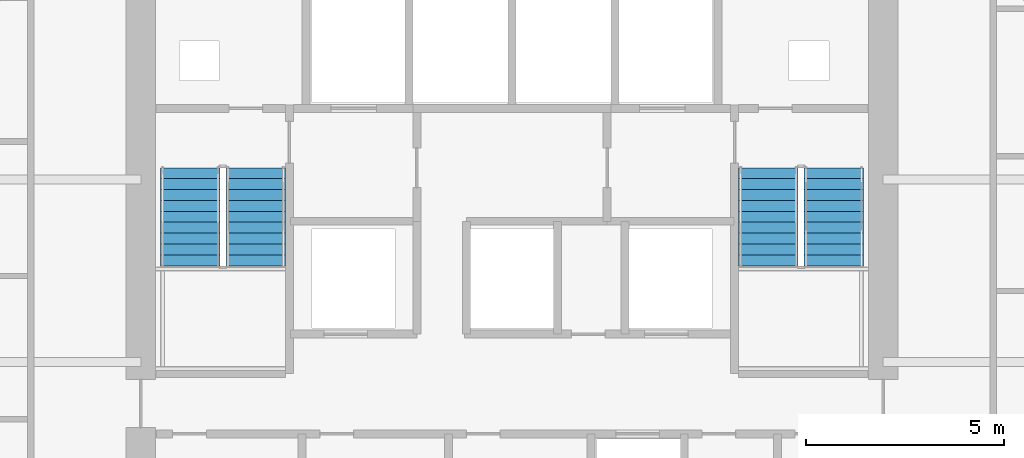
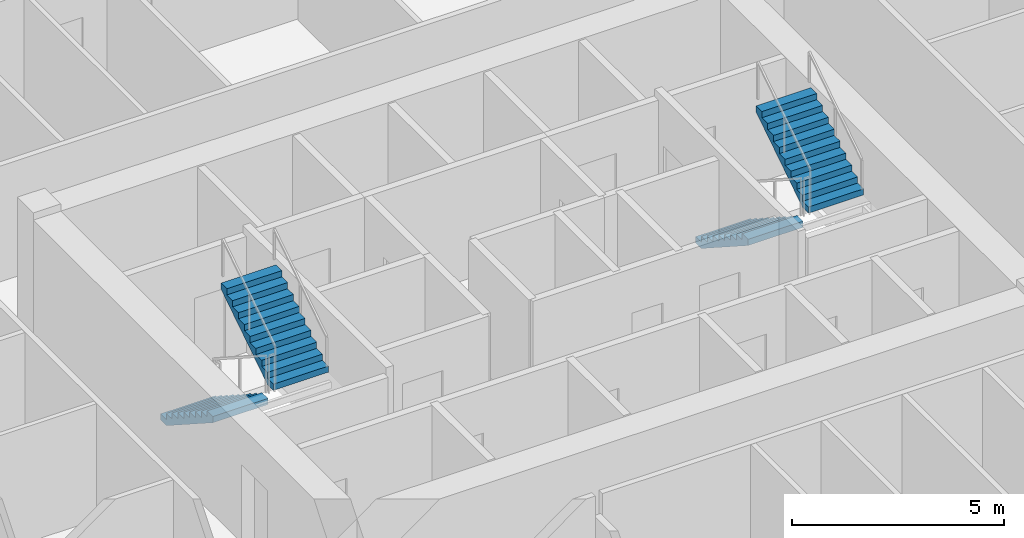
# One storey, part 8 of 11: 4 stair flights, 2 elements without a shape of their own.
"""IFC4 building model written with IfcOpenShell, lengths in metres."""

from ifc_helpers import new_model, si_unit, direction, frame, origin, place, context, subcontext, project, spatial, polyline, outline, extrude, material, type_object, element, aggregate, save


model = new_model("IFC4")

# Units and contexts
model_context = context("Model", 3, precision=1e-05, world=origin(), true_north=direction((0.0, 1.0)))
body_context = subcontext(model_context, "Body", "Model", "MODEL_VIEW")
ifc_project = project(units=[si_unit("LENGTHUNIT", "METRE"), si_unit("AREAUNIT", "SQUARE_METRE"), si_unit("VOLUMEUNIT", "CUBIC_METRE"), si_unit("PLANEANGLEUNIT", "RADIAN"), si_unit("MASSUNIT", "GRAM", prefix="KILO")], contexts=[model_context])

# Site, building, storey
site_placement = place(None, origin())
site = spatial("IfcSite", under=ifc_project, at=site_placement, CompositionType="ELEMENT")
building_placement = place(site_placement, origin())
building = spatial("IfcBuilding", under=site, at=building_placement, Name="Cinnabar Lancet Tower", CompositionType="ELEMENT")
storey_placement = place(building_placement, frame((0.0, 0.0, 130.35009765625)))
storey = spatial("IfcBuildingStorey", under=building, at=storey_placement, Name="L34", CompositionType="ELEMENT", Elevation=130.35009765625)

# Stair, stair flights
ifc_material_1 = material(Name="Concrete C40/50", Category="concrete")
stair_type = type_object("IfcStairType", Name="ST-CORE", PredefinedType="HALF_TURN_STAIR", material=ifc_material_1)
stair_1_placement = place(storey_placement, origin())
stair_1 = element("IfcStair", 1, at=stair_1_placement, inside=storey, type_object=stair_type, Name="L34 ST-1", PredefinedType="HALF_TURN_STAIR")
ifc_material_2 = material(Name="Concrete C40/50", Category="concrete")
stair_flight_type = type_object("IfcStairFlightType", Name="FLIGHT-CORE", PredefinedType="STRAIGHT", material=ifc_material_2)
stair_flight_1_placement = place(storey_placement, frame((24.27490234375, 28.39990234375, 0.0), z_axis=(0.0, 0.0, 1.0), x_axis=(0.0, -1.0, 0.0)))
stair_flight_1 = element("IfcStairFlight", 2, at=stair_flight_1_placement, type_object=stair_flight_type, Name="ST-1 flight 1", NumberOfRisers=10, NumberOfTreads=9, PredefinedType="STRAIGHT", RiserHeight=0.1775, TreadLength=0.275, context=body_context, shape_type="SweptSolid", body=[
    extrude(outline(polyline([(0.0, 0.0), (0.0, 0.177490234375), (0.27490234375, 0.177490234375), (0.27490234375, 0.35498046875), (0.550048828125, 0.35498046875), (0.550048828125, 0.532470703125), (0.824951171875, 0.532470703125), (0.824951171875, 0.7099609375), (1.10009765625, 0.7099609375), (1.10009765625, 0.887451171875), (1.375, 0.887451171875), (1.375, 1.06494140625), (1.64990234375, 1.06494140625), (1.64990234375, 1.242431640625), (1.925048828125, 1.242431640625), (1.925048828125, 1.419921875), (2.199951171875, 1.419921875), (2.199951171875, 1.597412109375), (2.47509765625, 1.597412109375), (2.47509765625, 1.77490234375), (2.47509765625, 1.419189453125), (0.2763671875, 0.0), (0.0, 0.0)])), frame((0.0, 0.75, 0.0), z_axis=(0.0, -1.0, 0.0), x_axis=(1.0, 0.0, 0.0)), (0.0, 0.0, 1.0), 1.5),
])
stair_flight_2_placement = place(storey_placement, frame((25.925048828125, 25.925048828125, 1.77490234375), z_axis=(0.0, 0.0, 1.0), x_axis=(0.0, 1.0, 0.0)))
stair_flight_2 = element("IfcStairFlight", 3, at=stair_flight_2_placement, type_object=stair_flight_type, Name="ST-1 flight 2", NumberOfRisers=10, NumberOfTreads=9, PredefinedType="STRAIGHT", RiserHeight=0.1775, TreadLength=0.275, context=body_context, shape_type="SweptSolid", body=[
    extrude(outline(polyline([(0.0, 0.0), (0.0, 0.177490234375), (0.27490234375, 0.177490234375), (0.27490234375, 0.35498046875), (0.550048828125, 0.35498046875), (0.550048828125, 0.532470703125), (0.824951171875, 0.532470703125), (0.824951171875, 0.7099609375), (1.10009765625, 0.7099609375), (1.10009765625, 0.887451171875), (1.375, 0.887451171875), (1.375, 1.06494140625), (1.64990234375, 1.06494140625), (1.64990234375, 1.242431640625), (1.925048828125, 1.242431640625), (1.925048828125, 1.419921875), (2.199951171875, 1.419921875), (2.199951171875, 1.597412109375), (2.47509765625, 1.597412109375), (2.47509765625, 1.77490234375), (2.47509765625, 1.419189453125), (0.2763671875, 0.0), (0.0, 0.0)])), frame((0.0, 0.75, 0.0), z_axis=(0.0, -1.0, 0.0), x_axis=(1.0, 0.0, 0.0)), (0.0, 0.0, 1.0), 1.5),
])
aggregate(stair_1, [stair_flight_1, stair_flight_2])

stair_2_placement = place(storey_placement, origin())
stair_2 = element("IfcStair", 4, at=stair_2_placement, inside=storey, type_object=stair_type, Name="L34 ST-2", PredefinedType="HALF_TURN_STAIR")
stair_flight_3_placement = place(storey_placement, frame((38.875, 28.39990234375, 0.0), z_axis=(0.0, 0.0, 1.0), x_axis=(0.0, -1.0, 0.0)))
stair_flight_3 = element("IfcStairFlight", 5, at=stair_flight_3_placement, type_object=stair_flight_type, Name="ST-2 flight 1", NumberOfRisers=10, NumberOfTreads=9, PredefinedType="STRAIGHT", RiserHeight=0.1775, TreadLength=0.275, context=body_context, shape_type="SweptSolid", body=[
    extrude(outline(polyline([(0.0, 0.0), (0.0, 0.177490234375), (0.27490234375, 0.177490234375), (0.27490234375, 0.35498046875), (0.550048828125, 0.35498046875), (0.550048828125, 0.532470703125), (0.824951171875, 0.532470703125), (0.824951171875, 0.7099609375), (1.10009765625, 0.7099609375), (1.10009765625, 0.887451171875), (1.375, 0.887451171875), (1.375, 1.06494140625), (1.64990234375, 1.06494140625), (1.64990234375, 1.242431640625), (1.925048828125, 1.242431640625), (1.925048828125, 1.419921875), (2.199951171875, 1.419921875), (2.199951171875, 1.597412109375), (2.47509765625, 1.597412109375), (2.47509765625, 1.77490234375), (2.47509765625, 1.419189453125), (0.2763671875, 0.0), (0.0, 0.0)])), frame((0.0, 0.75, 0.0), z_axis=(0.0, -1.0, 0.0), x_axis=(1.0, 0.0, 0.0)), (0.0, 0.0, 1.0), 1.5),
])
stair_flight_4_placement = place(storey_placement, frame((40.52490234375, 25.925048828125, 1.77490234375), z_axis=(0.0, 0.0, 1.0), x_axis=(0.0, 1.0, 0.0)))
stair_flight_4 = element("IfcStairFlight", 6, at=stair_flight_4_placement, type_object=stair_flight_type, Name="ST-2 flight 2", NumberOfRisers=10, NumberOfTreads=9, PredefinedType="STRAIGHT", RiserHeight=0.1775, TreadLength=0.275, context=body_context, shape_type="SweptSolid", body=[
    extrude(outline(polyline([(0.0, 0.0), (0.0, 0.177490234375), (0.27490234375, 0.177490234375), (0.27490234375, 0.35498046875), (0.550048828125, 0.35498046875), (0.550048828125, 0.532470703125), (0.824951171875, 0.532470703125), (0.824951171875, 0.7099609375), (1.10009765625, 0.7099609375), (1.10009765625, 0.887451171875), (1.375, 0.887451171875), (1.375, 1.06494140625), (1.64990234375, 1.06494140625), (1.64990234375, 1.242431640625), (1.925048828125, 1.242431640625), (1.925048828125, 1.419921875), (2.199951171875, 1.419921875), (2.199951171875, 1.597412109375), (2.47509765625, 1.597412109375), (2.47509765625, 1.77490234375), (2.47509765625, 1.419189453125), (0.2763671875, 0.0), (0.0, 0.0)])), frame((0.0, 0.75, 0.0), z_axis=(0.0, -1.0, 0.0), x_axis=(1.0, 0.0, 0.0)), (0.0, 0.0, 1.0), 1.5),
])
aggregate(stair_2, [stair_flight_3, stair_flight_4])

save(model, "model.ifc")
